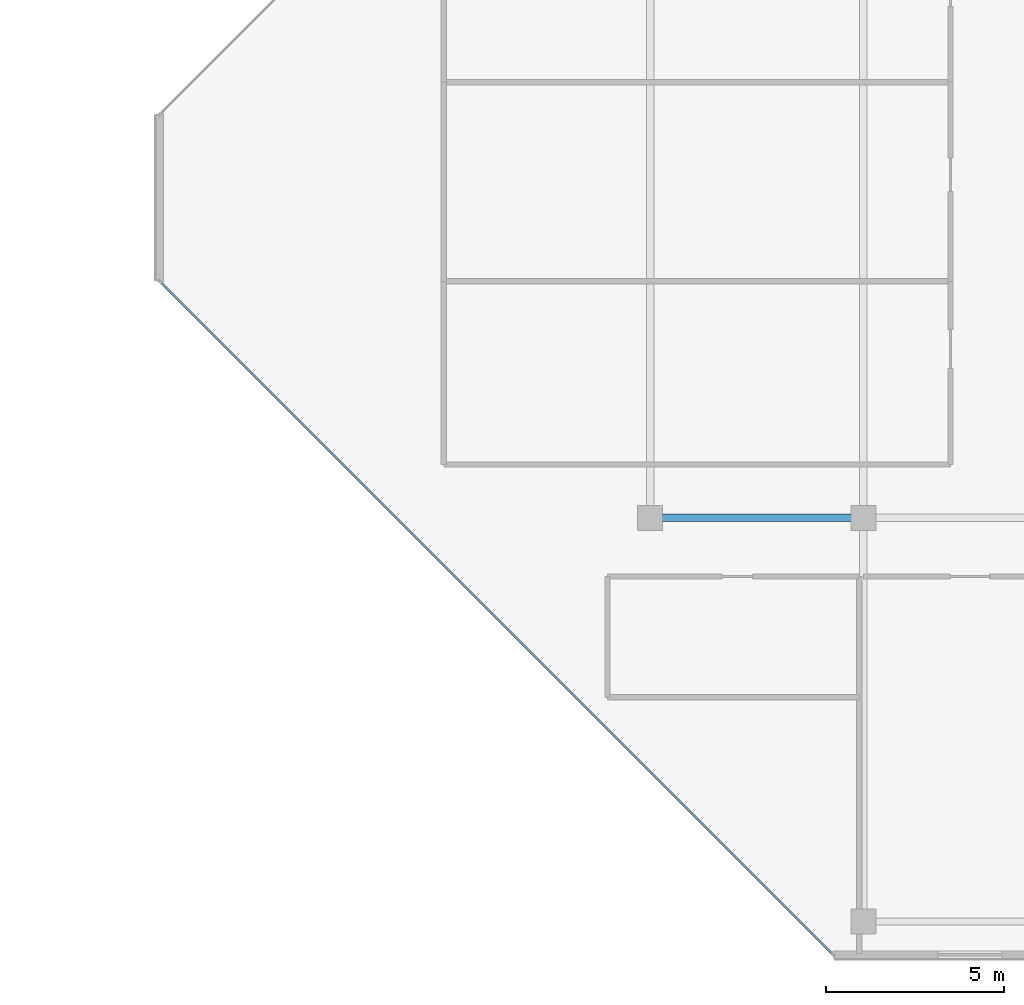
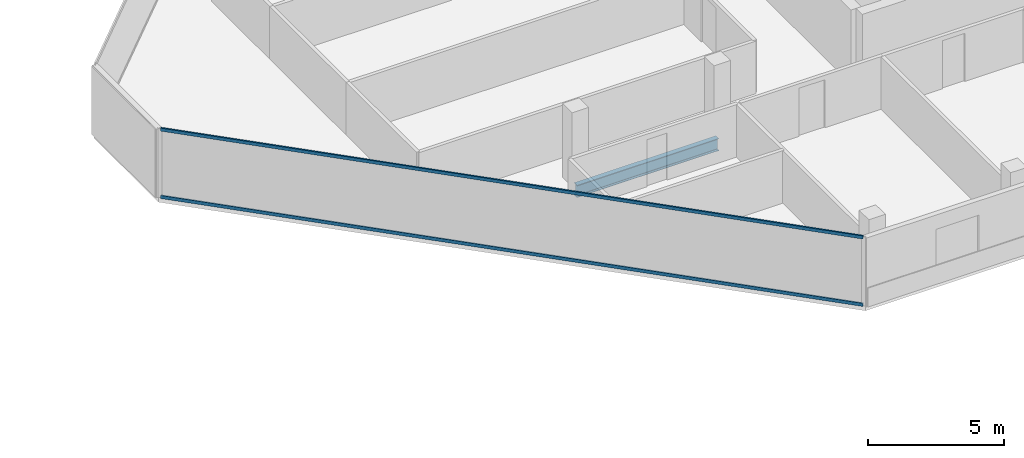
# One storey, part 9 of 29: 2 members, 1 beam, 1 element without a shape of its own.
"""IFC4 building model written with IfcOpenShell, lengths in metres."""

import ifcopenshell
import ifcopenshell.guid

model = None  # the IFC model being written
_history = None  # IfcOwnerHistory: only IFC2X3 demands one
_inside = {}  # id of a spatial element -> (the spatial element, [elements in it])
_under = {}  # id of a project, library or spatial element -> (it, [spatial elements below it])
_declared = {}  # id of a project -> (the project, [libraries it declares])
_typed = {}  # id of a type object -> (the type object, [elements of that type])
_made_of = {}  # id of a material, layer set ... -> (it, [elements and type objects made of it])


def new_model(schema):
    """Start an empty IFC model of exactly this schema.

    Asked for "IFC4X3", IfcOpenShell would pick the latest addendum, in which some entities
    have other attributes; the version numbers below select the first issue.
    IFC2X3 requires an IfcOwnerHistory on every rooted entity: one is made here for all.
    """
    global model, _history
    if schema == "IFC4X3":
        model = ifcopenshell.file(schema_version=(4, 3, 0, 0))
    else:
        model = ifcopenshell.file(schema=schema)
    _inside.clear()
    _under.clear()
    _declared.clear()
    _typed.clear()
    _made_of.clear()
    _history = None
    if model.schema == "IFC2X3":
        org = make("IfcOrganization", Name="unknown")
        user = make(
            "IfcPersonAndOrganization",
            ThePerson=make("IfcPerson", FamilyName="unknown"),
            TheOrganization=org,
        )
        app = make(
            "IfcApplication",
            ApplicationDeveloper=org,
            Version="unknown",
            ApplicationFullName="unknown",
            ApplicationIdentifier="unknown",
        )
        _history = make(
            "IfcOwnerHistory",
            OwningUser=user,
            OwningApplication=app,
            ChangeAction="ADDED",
            CreationDate=0,
        )
    return model


def make(cls, **values):
    """One entity of the class cls with the attributes given. An attribute that is None is left unset."""
    return model.create_entity(
        cls, **{name: value for name, value in values.items() if value is not None}
    )


def rooted(cls, **values):
    """An entity with a GlobalId (a new one), such as an element, a storey or a relation."""
    return make(cls, GlobalId=ifcopenshell.guid.new(), OwnerHistory=_history, **values)


def si_unit(unit_type, name, prefix=None):
    """IfcSIUnit, for example si_unit("LENGTHUNIT", "METRE", prefix="MILLI")."""
    return make("IfcSIUnit", UnitType=unit_type, Prefix=prefix, Name=name)


def assignment(units):
    """IfcUnitAssignment: the units of a project."""
    return None if units is None else make("IfcUnitAssignment", Units=units)


def point(xyz):
    """IfcCartesianPoint."""
    return None if xyz is None else make("IfcCartesianPoint", Coordinates=xyz)


def direction(xyz):
    """IfcDirection."""
    return None if xyz is None else make("IfcDirection", DirectionRatios=xyz)


def frame(location, z_axis=None, x_axis=None):
    """IfcAxis2Placement3D, a coordinate frame: its origin and axes. An axis left out is left unset."""
    return make(
        "IfcAxis2Placement3D",
        Location=point(location),
        Axis=direction(z_axis),
        RefDirection=direction(x_axis),
    )


def frame_2d(location, x_axis=None):
    """IfcAxis2Placement2D, a coordinate frame in the plane: its origin and x axis."""
    return make(
        "IfcAxis2Placement2D", Location=point(location), RefDirection=direction(x_axis)
    )


def origin():
    """The frame at (0, 0, 0) with its axes left unset."""
    return frame((0.0, 0.0, 0.0))


def origin_2d():
    """The frame at (0, 0) in the plane with its x axis left unset."""
    return frame_2d((0.0, 0.0))


def place(relative_to, where):
    """IfcLocalPlacement: puts the frame where relative to a parent placement (None: the world)."""
    return make(
        "IfcLocalPlacement", PlacementRelTo=relative_to, RelativePlacement=where
    )


def context(
    kind, dimensions, precision=None, world=None, true_north=None, identifier=None
):
    """IfcGeometricRepresentationContext, for example the 3D "Model" context."""
    return make(
        "IfcGeometricRepresentationContext",
        ContextIdentifier=identifier,
        ContextType=kind,
        CoordinateSpaceDimension=dimensions,
        Precision=precision,
        WorldCoordinateSystem=world,
        TrueNorth=true_north,
    )


def subcontext(parent, identifier, kind, view, scale=None):
    """IfcGeometricRepresentationSubContext, for example "Body" below "Model"."""
    return make(
        "IfcGeometricRepresentationSubContext",
        ContextIdentifier=identifier,
        ContextType=kind,
        ParentContext=parent,
        TargetScale=scale,
        TargetView=view,
    )


def project(units=None, contexts=None):
    """IfcProject with its units and contexts."""
    return rooted(
        "IfcProject",
        Name="project",
        RepresentationContexts=contexts,
        UnitsInContext=assignment(units),
    )


def spatial(cls, under=None, at=None, **own):
    """A site, building, storey or space (cls), placed at a placement, below another one or the project."""
    s = rooted(cls, ObjectPlacement=at, **own)
    if under is not None:
        _under.setdefault(under.id(), (under, []))[1].append(s)
    return s


def profile(cls, at=None, kind="AREA", **sizes):
    """A parametric profile (cls). Its sizes go by their IFC names, for example OverallWidth=200.0."""
    return make(cls, ProfileType=kind, Position=at, **sizes)


def hollow_rectangle(**sizes):
    """IfcRectangleHollowProfileDef."""
    return profile("IfcRectangleHollowProfileDef", **sizes)


def i_section(**sizes):
    """IfcIShapeProfileDef."""
    return profile("IfcIShapeProfileDef", **sizes)


def extrude(swept, where, along, depth):
    """IfcExtrudedAreaSolid: the profile swept, set in the frame where, extruded along a direction by depth."""
    return make(
        "IfcExtrudedAreaSolid",
        SweptArea=swept,
        Position=where,
        ExtrudedDirection=direction(along),
        Depth=depth,
    )


def shape(context_of_items, identifier, shape_type, items):
    """IfcShapeRepresentation: the items that make up one representation, for example the "Body"."""
    return make(
        "IfcShapeRepresentation",
        ContextOfItems=context_of_items,
        RepresentationIdentifier=identifier,
        RepresentationType=shape_type,
        Items=items,
    )


def material(Name=None, Category=None):
    """IfcMaterial."""
    return make("IfcMaterial", Name=Name, Category=Category)


def layer(
    of_material, thickness, ventilated=None, Name=None, Category=None, Priority=None
):
    """IfcMaterialLayer: one layer of a wall or slab, of a material (None: an air gap)."""
    return make(
        "IfcMaterialLayer",
        Material=of_material,
        LayerThickness=thickness,
        IsVentilated=ventilated,
        Name=Name,
        Category=Category,
        Priority=Priority,
    )


def layer_set(layers, Name=None):
    """IfcMaterialLayerSet."""
    return make("IfcMaterialLayerSet", MaterialLayers=layers, LayerSetName=Name)


def material_profile(
    of_material, cross_section, Name=None, Category=None, Priority=None
):
    """IfcMaterialProfile: a cross section and its material."""
    return make(
        "IfcMaterialProfile",
        Name=Name,
        Material=of_material,
        Profile=cross_section,
        Priority=Priority,
        Category=Category,
    )


def profile_set(profiles, Name=None, composite=None):
    """IfcMaterialProfileSet."""
    return make(
        "IfcMaterialProfileSet",
        Name=Name,
        MaterialProfiles=profiles,
        CompositeProfile=composite,
    )


def made_of(thing, what):
    """Note that an element or type object is made of a material, layer set ...; save() writes the relation."""
    if what is not None:
        _made_of.setdefault(what.id(), (what, []))[1].append(thing)
    return thing


def type_object(cls, material=None, **own):
    """A type object (cls), such as IfcWallType, which elements share."""
    return made_of(rooted(cls, **own), material)


def element(
    cls,
    number,
    at=None,
    inside=None,
    cuts=None,
    type_object=None,
    material=None,
    context=None,
    identifier="Body",
    shape_type=None,
    held_by="IfcProductDefinitionShape",
    body=None,
    shapes=None,
    **own,
):
    """One element of the class cls, such as IfcWall. Its Tag is "e" and its number.

    at: its placement. inside: the storey or other place that contains it. cuts: it is an
    opening in that element (IfcRelVoidsElement). A single representation is given by context,
    identifier, shape_type and body (its items); several are given by shapes. held_by: the class
    of the entity that holds the representations. save() writes the other relations.
    """
    e = rooted(cls, Tag="e%d" % number, ObjectPlacement=at, **own)
    if body is not None:
        shapes = [shape(context, identifier, shape_type, body)]
    if shapes is not None:
        e.Representation = make(held_by, Representations=shapes)
    if inside is not None:
        _inside.setdefault(inside.id(), (inside, []))[1].append(e)
    if cuts is not None:
        rooted(
            "IfcRelVoidsElement", RelatingBuildingElement=cuts, RelatedOpeningElement=e
        )
    if type_object is not None:
        _typed.setdefault(type_object.id(), (type_object, []))[1].append(e)
    return made_of(e, material)


def aggregate(whole, parts):
    """IfcRelAggregates: a whole, such as a stair, and the parts it consists of."""
    return rooted("IfcRelAggregates", RelatingObject=whole, RelatedObjects=parts)


def save(model, path):
    """Write the relations noted so far, then the file.

    IfcRelAggregates (storeys below a building ...), IfcRelContainedInSpatialStructure (elements
    in a storey), IfcRelDefinesByType, IfcRelAssociatesMaterial and IfcRelDeclares: one each for
    every whole, place, type object, material and project.
    """
    for whole, parts in _under.values():
        aggregate(whole, parts)
    for where, things in _inside.values():
        rooted(
            "IfcRelContainedInSpatialStructure",
            RelatedElements=things,
            RelatingStructure=where,
        )
    for kind, things in _typed.values():
        rooted("IfcRelDefinesByType", RelatedObjects=things, RelatingType=kind)
    for what, things in _made_of.values():
        rooted("IfcRelAssociatesMaterial", RelatedObjects=things, RelatingMaterial=what)
    for by, libraries in _declared.values():
        rooted("IfcRelDeclares", RelatingContext=by, RelatedDefinitions=libraries)
    model.write(path)


model = new_model("IFC4")

# Units and contexts
model_context = context("Model", 3, precision=1e-05, world=origin(), true_north=direction((0.0, 1.0)))
body_context = subcontext(model_context, "Body", "Model", "MODEL_VIEW")
ifc_project = project(units=[si_unit("LENGTHUNIT", "METRE"), si_unit("AREAUNIT", "SQUARE_METRE"), si_unit("VOLUMEUNIT", "CUBIC_METRE"), si_unit("PLANEANGLEUNIT", "RADIAN"), si_unit("MASSUNIT", "GRAM", prefix="KILO")], contexts=[model_context])

# Site, building, storey
site_placement = place(None, origin())
site = spatial("IfcSite", under=ifc_project, at=site_placement, CompositionType="ELEMENT")
building_placement = place(site_placement, origin())
building = spatial("IfcBuilding", under=site, at=building_placement, Name="Tanjung Sevakor Pilgrim Tower", CompositionType="ELEMENT")
storey_placement = place(building_placement, frame((0.0, 0.0, 232.64990234375)))
storey = spatial("IfcBuildingStorey", under=building, at=storey_placement, Name="L65", CompositionType="ELEMENT", Elevation=232.64990234375)

# Beam
ifc_material_1 = material(Name="Steel S355J2", Category="steel")
ifc_material_profile_1 = material_profile(ifc_material_1, i_section(OverallWidth=0.2119140625, OverallDepth=0.54443359375, WebThickness=0.0126953125, FlangeThickness=0.021240234375, FilletRadius=0.0126953125, at=origin_2d()))
ifc_profile_set_1 = profile_set([ifc_material_profile_1], Name="Steel S355J2")
beam_type = type_object("IfcBeamType", Name="BM-B-G5-UB_533x210x122", PredefinedType="BEAM", material=ifc_profile_set_1)
beam_placement = place(storey_placement, frame((66.0, 24.60009765625, -0.4921875), z_axis=(1.0, 0.0, 0.0), x_axis=(0.0, 1.0, 0.0)))
element("IfcBeam", 1, at=beam_placement, inside=storey, type_object=beam_type, Name="L65 Primary Floor Girder EAST Y246-01", PredefinedType="BEAM", context=body_context, shape_type="SweptSolid", body=[
    extrude(i_section(OverallWidth=0.2119140625, OverallDepth=0.54443359375, WebThickness=0.0126953125, FlangeThickness=0.021240234375, FilletRadius=0.0126953125, at=origin_2d()), origin(), (0.0, 0.0, 1.0), 6.0),
])

# Curtain wall, members
ifc_material_2 = material(Name="Aluminium 6063-T6 and Low-E Glass", Category="aluminium")
ifc_layer = layer(ifc_material_2, 0.179931640625)
ifc_layer_set = layer_set([ifc_layer], Name="CW-SYS-CHAM")
curtain_wall_type = type_object("IfcCurtainWallType", Name="CW-SYS-CHAM", PredefinedType="NOTDEFINED", material=ifc_layer_set)
curtain_wall_placement = place(storey_placement, origin())
curtain_wall = element("IfcCurtainWall", 2, at=curtain_wall_placement, inside=storey, type_object=curtain_wall_type, Name="L65 Curtain Wall CW-CHM-L65-EAST-7", PredefinedType="NOTDEFINED")
ifc_material_3 = material(Name="Aluminium 6063-T6", Category="aluminium")
ifc_material_profile_2 = material_profile(ifc_material_3, hollow_rectangle(XDim=0.06494140625, YDim=0.139892578125, WallThickness=0.00390625, at=origin_2d()))
ifc_profile_set_2 = profile_set([ifc_material_profile_2], Name="Aluminium 6063-T6")
member_type = type_object("IfcMemberType", Name="TYPE-CWT-1", PredefinedType="USERDEFINED", material=ifc_profile_set_2)
member_1_placement = place(storey_placement, frame((52.255859375, 31.19970703125, 0.03271484375), z_axis=(0.707106781187, -0.707106781187, 0.0), x_axis=(0.707106781187, 0.707106781187, 0.0)))
member_1 = element("IfcMember", 3, at=member_1_placement, type_object=member_type, Name="CW-CHM transom 1.1", ObjectType="TRANSOM", PredefinedType="USERDEFINED", context=body_context, shape_type="SweptSolid", body=[
    extrude(hollow_rectangle(XDim=0.06494140625, YDim=0.139892578125, WallThickness=0.00390625, at=origin_2d()), origin(), (0.0, 0.0, 1.0), 26.649169921875),
])
member_2_placement = place(storey_placement, frame((52.255859375, 31.19970703125, 3.047607421875), z_axis=(0.707106781187, -0.707106781187, 0.0), x_axis=(0.707106781187, 0.707106781187, 0.0)))
member_2 = element("IfcMember", 4, at=member_2_placement, type_object=member_type, Name="CW-CHM transom 1.2", ObjectType="TRANSOM", PredefinedType="USERDEFINED", context=body_context, shape_type="SweptSolid", body=[
    extrude(hollow_rectangle(XDim=0.06494140625, YDim=0.139892578125, WallThickness=0.00390625, at=origin_2d()), origin(), (0.0, 0.0, 1.0), 26.649169921875),
])
aggregate(curtain_wall, [member_1, member_2])

save(model, "model.ifc")
